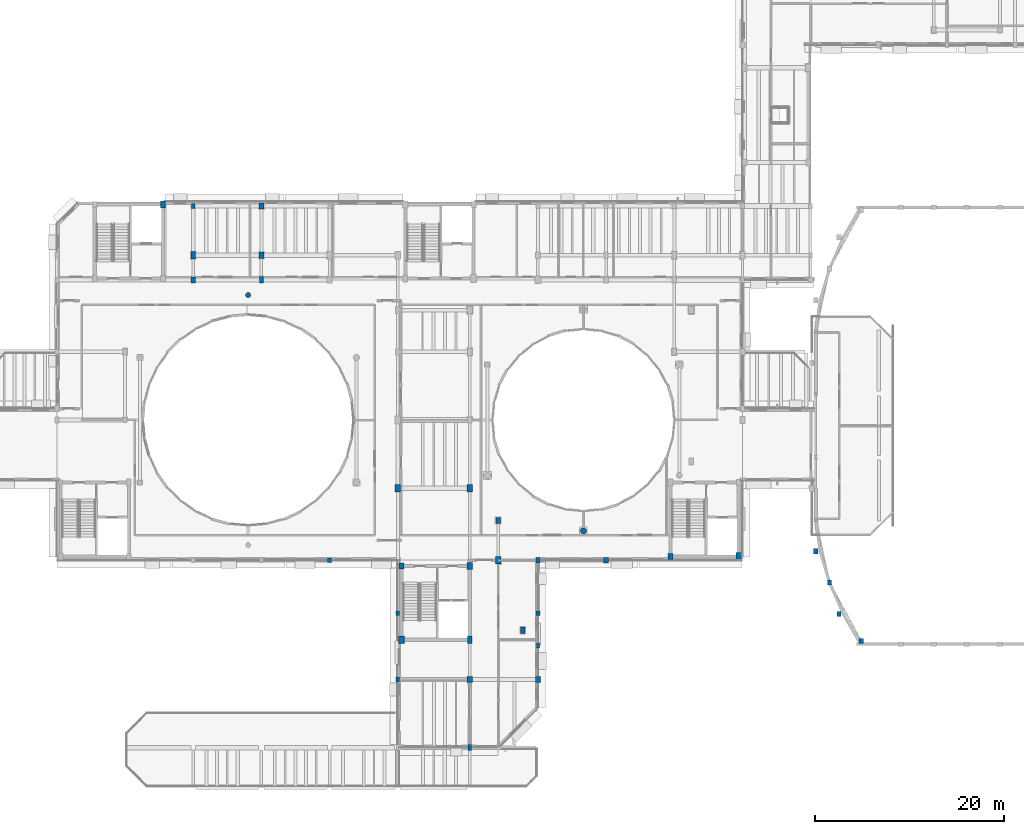
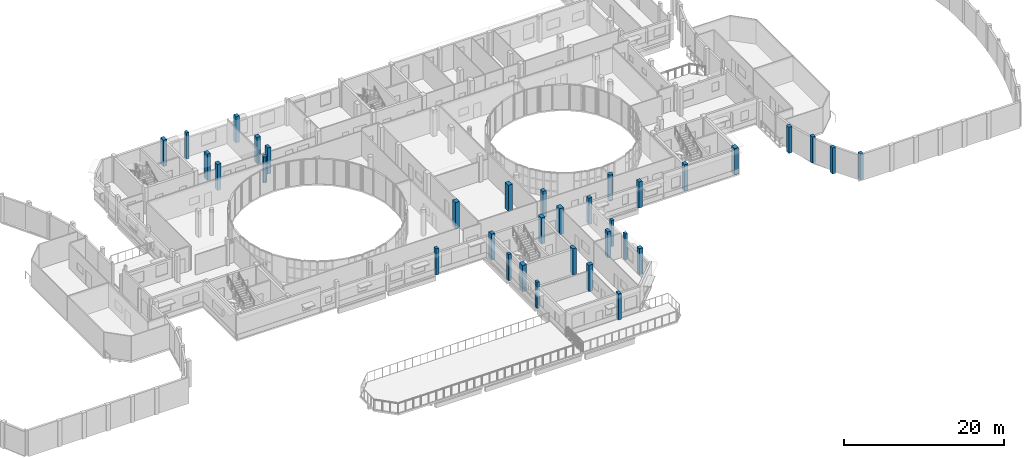
# One storey, part 7 of 92: 34 columns.
"""IFC4 building model written with IfcOpenShell, lengths in metres."""

from ifc_helpers import new_model, si_unit, direction, frame, origin, origin_2d, place, context, subcontext, project, spatial, rectangle, circle, extrude, material, material_profile, profile_set, type_object, element, save


model = new_model("IFC4")

# Units and contexts
model_context = context("Model", 3, precision=1e-05, world=origin(), true_north=direction((0.0, 1.0)))
body_context = subcontext(model_context, "Body", "Model", "MODEL_VIEW")
ifc_project = project(units=[si_unit("LENGTHUNIT", "METRE"), si_unit("AREAUNIT", "SQUARE_METRE"), si_unit("VOLUMEUNIT", "CUBIC_METRE"), si_unit("PLANEANGLEUNIT", "RADIAN"), si_unit("MASSUNIT", "GRAM", prefix="KILO")], contexts=[model_context])

# Site, building, storey
site_placement = place(None, origin())
site = spatial("IfcSite", under=ifc_project, at=site_placement, CompositionType="ELEMENT")
building_placement = place(site_placement, origin())
building = spatial("IfcBuilding", under=site, at=building_placement, Name="Kelanivale Promenade Academy", CompositionType="ELEMENT")
storey_placement = place(building_placement, frame((0.0, 0.0, 8.199951171875)))
storey = spatial("IfcBuildingStorey", under=building, at=storey_placement, Name="L02", CompositionType="ELEMENT", Elevation=8.199951171875)

# Columns
ifc_material = material(Name="Concrete C40/50", Category="concrete")
ifc_material_profile_1 = material_profile(ifc_material, rectangle(XDim=0.60009765625, YDim=0.60009765625, at=origin_2d()), Name="RC-COL 600x600")
ifc_profile_set_1 = profile_set([ifc_material_profile_1], Name="Concrete C40/50")
column_type_1 = type_object("IfcColumnType", Name="C-05 RC-COL 600x600", PredefinedType="COLUMN", material=ifc_profile_set_1)
column_1_placement = place(storey_placement, frame((86.800048828125, 29.39990234375, 0.0), z_axis=(0.0, 0.0, 1.0), x_axis=(1.0, 0.0, 0.0)))
element("IfcColumn", 1, at=column_1_placement, inside=storey, type_object=column_type_1, Name="Column C-05 at (86.8, 29.4) L02", PredefinedType="COLUMN", context=body_context, shape_type="SweptSolid", body=[
    extrude(rectangle(XDim=0.60009765625, YDim=0.60009765625, at=origin_2d()), origin(), (0.0, 0.0, 1.0), 4.0),
])
ifc_material_profile_2 = material_profile(ifc_material, rectangle(XDim=0.39990234375, YDim=0.64990234375, at=origin_2d()), Name="RC-COL 400x650")
ifc_profile_set_2 = profile_set([ifc_material_profile_2], Name="Concrete C40/50")
column_type_2 = type_object("IfcColumnType", Name="C-08 RC-COL 400x650", PredefinedType="COLUMN", material=ifc_profile_set_2)
column_2_placement = place(storey_placement, frame((86.800048828125, 22.199951171875, 0.0), z_axis=(0.0, 0.0, 1.0), x_axis=(1.0, 0.0, 0.0)))
element("IfcColumn", 2, at=column_2_placement, inside=storey, type_object=column_type_2, Name="Column C-08 at (86.8, 22.2) L02", PredefinedType="COLUMN", context=body_context, shape_type="SweptSolid", body=[
    extrude(rectangle(XDim=0.39990234375, YDim=0.64990234375, at=origin_2d()), origin(), (0.0, 0.0, 1.0), 4.0),
])
ifc_material_profile_3 = material_profile(ifc_material, rectangle(XDim=0.449951171875, YDim=0.699951171875, at=origin_2d()), Name="RC-COL 450x700")
ifc_profile_set_3 = profile_set([ifc_material_profile_3], Name="Concrete C40/50")
column_type_3 = type_object("IfcColumnType", Name="C-10 RC-COL 450x700", PredefinedType="COLUMN", material=ifc_profile_set_3)
for number, where, z_axis, x_axis, name in (
    (3, (64.800048828125, 71.60009765625, 0.0), (0.0, 0.0, 1.0), (1.0, 0.0, 0.0), "Column C-10 at (64.8, 71.6) L02"),
    (4, (92.39990234375, 34.60009765625, 0.0), (0.0, 0.0, 1.0), (1.0, 0.0, 0.0), "Column C-10 at (92.4, 34.6) L02"),
):
    element("IfcColumn", number, at=place(storey_placement, frame(where, z_axis=z_axis, x_axis=x_axis)), inside=storey, type_object=column_type_3, Name=name, PredefinedType="COLUMN", context=body_context, shape_type="SweptSolid", body=[
        extrude(rectangle(XDim=0.449951171875, YDim=0.699951171875, at=origin_2d()), origin(), (0.0, 0.0, 1.0), 4.0),
    ])
ifc_material_profile_4 = material_profile(ifc_material, rectangle(XDim=0.5, YDim=0.64990234375, at=origin_2d()), Name="RC-COL 500x650")
ifc_profile_set_4 = profile_set([ifc_material_profile_4], Name="Concrete C40/50")
column_type_4 = type_object("IfcColumnType", Name="C-11 RC-COL 500x650", PredefinedType="COLUMN", material=ifc_profile_set_4)
for number, where, z_axis, x_axis, name in (
    (5, (57.60009765625, 71.60009765625, 0.0), (0.0, 0.0, 1.0), (1.0, 0.0, 0.0), "Column C-11 at (57.6, 71.6) L02"),
    (6, (64.800048828125, 74.199951171875, 0.0), (0.0, 0.0, 1.0), (1.0, 0.0, 0.0), "Column C-11 at (64.8, 74.2) L02"),
    (7, (79.60009765625, 41.39990234375, 0.0), (0.0, 0.0, 1.0), (1.0, 0.0, 0.0), "Column C-11 at (79.6, 41.4) L02"),
    (8, (89.800048828125, 46.199951171875, 0.0), (0.0, 0.0, 1.0), (1.0, 0.0, 0.0), "Column C-11 at (89.8, 46.2) L02"),
    (9, (108.0, 42.39990234375, 0.0), (0.0, 0.0, 1.0), (1.0, 0.0, 0.0), "Column C-11 at (108.0, 42.4) L02"),
):
    element("IfcColumn", number, at=place(storey_placement, frame(where, z_axis=z_axis, x_axis=x_axis)), inside=storey, type_object=column_type_4, Name=name, PredefinedType="COLUMN", context=body_context, shape_type="SweptSolid", body=[
        extrude(rectangle(XDim=0.5, YDim=0.64990234375, at=origin_2d()), origin(), (0.0, 0.0, 1.0), 4.0),
    ])
ifc_material_profile_5 = material_profile(ifc_material, rectangle(XDim=0.5, YDim=0.75, at=origin_2d()), Name="RC-COL 500x750")
ifc_profile_set_5 = profile_set([ifc_material_profile_5], Name="Concrete C40/50")
column_type_5 = type_object("IfcColumnType", Name="C-12 RC-COL 500x750", PredefinedType="COLUMN", material=ifc_profile_set_5)
for number, where, z_axis, x_axis, name in (
    (10, (54.39990234375, 79.550048828125, 0.0), (0.0, 0.0, 1.0), (1.0, 0.0, 0.0), "Column C-12 at (54.4, 79.5) L02"),
    (11, (57.60009765625, 74.199951171875, 0.0), (0.0, 0.0, 1.0), (1.0, 0.0, 0.0), "Column C-12 at (57.6, 74.2) L02"),
    (12, (86.800048828125, 33.60009765625, 0.0), (0.0, 0.0, 1.0), (1.0, 0.0, 0.0), "Column C-12 at (86.8, 33.6) L02"),
):
    element("IfcColumn", number, at=place(storey_placement, frame(where, z_axis=z_axis, x_axis=x_axis)), inside=storey, type_object=column_type_5, Name=name, PredefinedType="COLUMN", context=body_context, shape_type="SweptSolid", body=[
        extrude(rectangle(XDim=0.5, YDim=0.75, at=origin_2d()), origin(), (0.0, 0.0, 1.0), 4.0),
    ])
ifc_material_profile_6 = material_profile(ifc_material, rectangle(XDim=0.550048828125, YDim=0.75, at=origin_2d()), Name="RC-COL 550x750")
ifc_profile_set_6 = profile_set([ifc_material_profile_6], Name="Concrete C40/50")
column_type_6 = type_object("IfcColumnType", Name="C-13 RC-COL 550x750", PredefinedType="COLUMN", material=ifc_profile_set_6)
for number, where, z_axis, x_axis, name in (
    (13, (79.199951171875, 49.60009765625, 0.0), (0.0, 0.0, 1.0), (1.0, 0.0, 0.0), "Column C-13 at (79.2, 49.6) L02"),
    (14, (86.800048828125, 41.39990234375, 0.0), (0.0, 0.0, 1.0), (1.0, 0.0, 0.0), "Column C-13 at (86.8, 41.4) L02"),
):
    element("IfcColumn", number, at=place(storey_placement, frame(where, z_axis=z_axis, x_axis=x_axis)), inside=storey, type_object=column_type_6, Name=name, PredefinedType="COLUMN", context=body_context, shape_type="SweptSolid", body=[
        extrude(rectangle(XDim=0.550048828125, YDim=0.75, at=origin_2d()), origin(), (0.0, 0.0, 1.0), 4.0),
    ])
ifc_material_profile_7 = material_profile(ifc_material, rectangle(XDim=0.60009765625, YDim=0.800048828125, at=origin_2d()), Name="RC-COL 600x800")
ifc_profile_set_7 = profile_set([ifc_material_profile_7], Name="Concrete C40/50")
column_type_7 = type_object("IfcColumnType", Name="C-14 RC-COL 600x800", PredefinedType="COLUMN", material=ifc_profile_set_7)
for number, where, z_axis, x_axis, name in (
    (15, (79.60009765625, 33.60009765625, 0.0), (0.0, 0.0, 1.0), (1.0, 0.0, 0.0), "Column C-14 at (79.6, 33.6) L02"),
    (16, (86.800048828125, 49.60009765625, 0.0), (0.0, 0.0, 1.0), (1.0, 0.0, 0.0), "Column C-14 at (86.8, 49.6) L02"),
    (17, (89.800048828125, 42.0, 0.0), (0.0, 0.0, 1.0), (1.0, 0.0, 0.0), "Column C-14 at (89.8, 42.0) L02"),
    (18, (115.199951171875, 42.39990234375, 0.0), (0.0, 0.0, 1.0), (1.0, 0.0, 0.0), "Column C-14 at (115.2, 42.4) L02"),
):
    element("IfcColumn", number, at=place(storey_placement, frame(where, z_axis=z_axis, x_axis=x_axis)), inside=storey, type_object=column_type_7, Name=name, PredefinedType="COLUMN", context=body_context, shape_type="SweptSolid", body=[
        extrude(rectangle(XDim=0.60009765625, YDim=0.800048828125, at=origin_2d()), origin(), (0.0, 0.0, 1.0), 4.0),
    ])
ifc_material_profile_8 = material_profile(ifc_material, circle(Radius=0.27490234375, at=origin_2d()), Name="RC-COL D550")
ifc_profile_set_8 = profile_set([ifc_material_profile_8], Name="Concrete C40/50")
column_type_8 = type_object("IfcColumnType", Name="CC-21 RC-COL D550", PredefinedType="COLUMN", material=ifc_profile_set_8)
column_3_placement = place(storey_placement, frame((63.39990234375, 70.0, 0.0), z_axis=(0.0, 0.0, 1.0), x_axis=(1.0, 0.0, 0.0)))
element("IfcColumn", 19, at=column_3_placement, inside=storey, type_object=column_type_8, Name="Column CC-21 at (63.4, 70.0) L02", PredefinedType="COLUMN", context=body_context, shape_type="SweptSolid", body=[
    extrude(circle(Radius=0.27490234375, at=origin_2d()), origin(), (0.0, 0.0, 1.0), 4.0),
])
ifc_material_profile_9 = material_profile(ifc_material, circle(Radius=0.324951171875, at=origin_2d()), Name="RC-COL D650")
ifc_profile_set_9 = profile_set([ifc_material_profile_9], Name="Concrete C40/50")
column_type_9 = type_object("IfcColumnType", Name="CC-23 RC-COL D650", PredefinedType="COLUMN", material=ifc_profile_set_9)
column_4_placement = place(storey_placement, frame((98.800048828125, 45.10009765625, 0.0), z_axis=(0.0, 0.0, 1.0), x_axis=(1.0, 0.0, 0.0)))
element("IfcColumn", 20, at=column_4_placement, inside=storey, type_object=column_type_9, Name="Column CC-23 at (98.8, 45.1) L02", PredefinedType="COLUMN", context=body_context, shape_type="SweptSolid", body=[
    extrude(circle(Radius=0.324951171875, at=origin_2d()), origin(), (0.0, 0.0, 1.0), 4.0),
])
ifc_material_profile_10 = material_profile(ifc_material, rectangle(XDim=0.35009765625, YDim=0.5, at=origin_2d()), Name="RC-PIL 350x500")
ifc_profile_set_10 = profile_set([ifc_material_profile_10], Name="Concrete C40/50")
column_type_10 = type_object("IfcColumnType", Name="PL-15 RC-PIL 350x500", PredefinedType="PILASTER", material=ifc_profile_set_10)
for number, where, z_axis, x_axis, name in (
    (21, (57.60009765625, 79.39990234375, 0.0), (0.0, 0.0, 1.0), (1.0, 0.0, 0.0), "Column PL-15 at (57.6, 79.4) L02"),
    (22, (79.199951171875, 29.39990234375, 0.0), (0.0, 0.0, 1.0), (1.0, 0.0, 0.0), "Column PL-15 at (79.2, 29.4) L02"),
    (23, (94.0, 33.0, 0.0), (0.0, 0.0, 1.0), (1.0, 0.0, 0.0), "Column PL-15 at (94.0, 33.0) L02"),
):
    element("IfcColumn", number, at=place(storey_placement, frame(where, z_axis=z_axis, x_axis=x_axis)), inside=storey, type_object=column_type_10, Name=name, PredefinedType="PILASTER", context=body_context, shape_type="SweptSolid", body=[
        extrude(rectangle(XDim=0.35009765625, YDim=0.5, at=origin_2d()), origin(), (0.0, 0.0, 1.0), 4.0),
    ])
ifc_material_profile_11 = material_profile(ifc_material, rectangle(XDim=0.39990234375, YDim=0.5, at=origin_2d()), Name="RC-PIL 400x500")
ifc_profile_set_11 = profile_set([ifc_material_profile_11], Name="Concrete C40/50")
column_type_11 = type_object("IfcColumnType", Name="PL-16 RC-PIL 400x500", PredefinedType="PILASTER", material=ifc_profile_set_11)
for number, where, z_axis, x_axis, name in (
    (24, (72.0, 42.0, 0.0), (0.0, 0.0, 1.0), (1.0, 0.0, 0.0), "Column PL-16 at (72.0, 42.0) L02"),
    (25, (79.199951171875, 36.39990234375, 0.0), (0.0, 0.0, 1.0), (1.0, 0.0, 0.0), "Column PL-16 at (79.2, 36.4) L02"),
    (26, (94.0, 36.39990234375, 0.0), (0.0, 0.0, 1.0), (1.0, 0.0, 0.0), "Column PL-16 at (94.0, 36.4) L02"),
):
    element("IfcColumn", number, at=place(storey_placement, frame(where, z_axis=z_axis, x_axis=x_axis)), inside=storey, type_object=column_type_11, Name=name, PredefinedType="PILASTER", context=body_context, shape_type="SweptSolid", body=[
        extrude(rectangle(XDim=0.39990234375, YDim=0.5, at=origin_2d()), origin(), (0.0, 0.0, 1.0), 4.0),
    ])
ifc_material_profile_12 = material_profile(ifc_material, rectangle(XDim=0.449951171875, YDim=0.550048828125, at=origin_2d()), Name="RC-PIL 450x550")
ifc_profile_set_12 = profile_set([ifc_material_profile_12], Name="Concrete C40/50")
column_type_12 = type_object("IfcColumnType", Name="PL-17 RC-PIL 450x550", PredefinedType="PILASTER", material=ifc_profile_set_12)
for number, where, z_axis, x_axis, name in (
    (27, (94.0, 42.0, 0.0), (0.0, 0.0, 1.0), (1.0, 0.0, 0.0), "Column PL-17 at (94.0, 42.0) L02"),
    (28, (124.800048828125, 39.62890625, 0.0), (0.0, 0.0, 1.0), (1.0, 0.0, 0.0), "Column PL-17 at (124.8, 39.6) L02"),
    (29, (125.7900390625, 36.31396484375, 0.0), (0.0, 0.0, 1.0), (1.0, 0.0, 0.0), "Column PL-17 at (125.8, 36.3) L02"),
    (30, (128.14990234375, 33.449951171875, 0.0), (0.0, 0.0, 1.0), (1.0, 0.0, 0.0), "Column PL-17 at (128.2, 33.5) L02"),
):
    element("IfcColumn", number, at=place(storey_placement, frame(where, z_axis=z_axis, x_axis=x_axis)), inside=storey, type_object=column_type_12, Name=name, PredefinedType="PILASTER", context=body_context, shape_type="SweptSolid", body=[
        extrude(rectangle(XDim=0.449951171875, YDim=0.550048828125, at=origin_2d()), origin(), (0.0, 0.0, 1.0), 4.0),
    ])
ifc_material_profile_13 = material_profile(ifc_material, rectangle(XDim=0.5, YDim=0.60009765625, at=origin_2d()), Name="RC-PIL 500x600")
ifc_profile_set_13 = profile_set([ifc_material_profile_13], Name="Concrete C40/50")
column_type_13 = type_object("IfcColumnType", Name="PL-18 RC-PIL 500x600", PredefinedType="PILASTER", material=ifc_profile_set_13)
for number, where, z_axis, x_axis, name in (
    (31, (64.800048828125, 79.39990234375, 0.0), (0.0, 0.0, 1.0), (1.0, 0.0, 0.0), "Column PL-18 at (64.8, 79.4) L02"),
    (32, (94.0, 29.39990234375, 0.0), (0.0, 0.0, 1.0), (1.0, 0.0, 0.0), "Column PL-18 at (94.0, 29.4) L02"),
    (33, (101.199951171875, 42.0, 0.0), (0.0, 0.0, 1.0), (1.0, 0.0, 0.0), "Column PL-18 at (101.2, 42.0) L02"),
    (34, (123.340087890625, 42.943115234375, 0.0), (0.0, 0.0, 1.0), (1.0, 0.0, 0.0), "Column PL-18 at (123.3, 42.9) L02"),
):
    element("IfcColumn", number, at=place(storey_placement, frame(where, z_axis=z_axis, x_axis=x_axis)), inside=storey, type_object=column_type_13, Name=name, PredefinedType="PILASTER", context=body_context, shape_type="SweptSolid", body=[
        extrude(rectangle(XDim=0.5, YDim=0.60009765625, at=origin_2d()), origin(), (0.0, 0.0, 1.0), 4.0),
    ])

save(model, "model.ifc")
